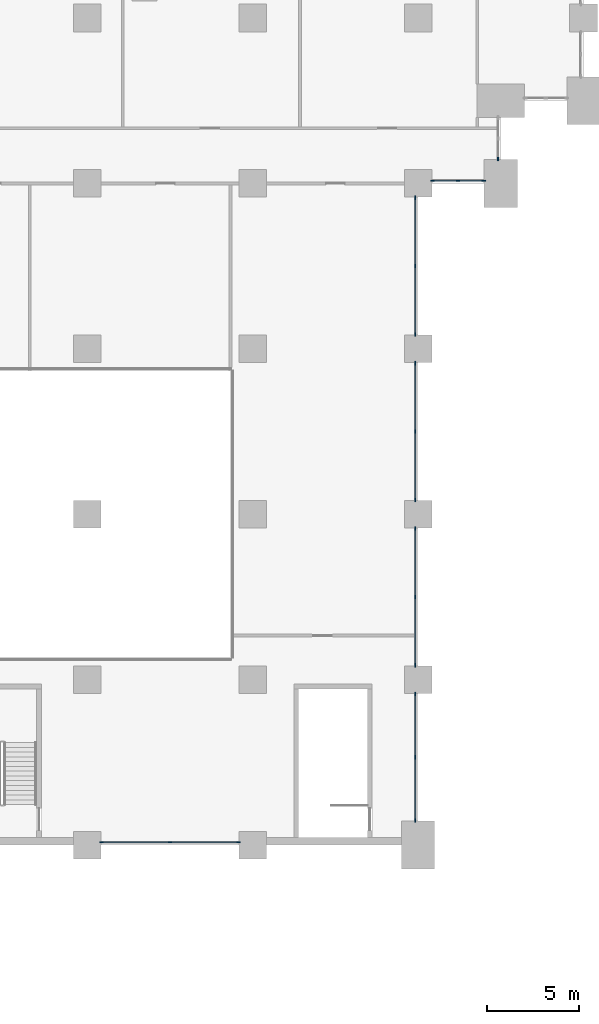
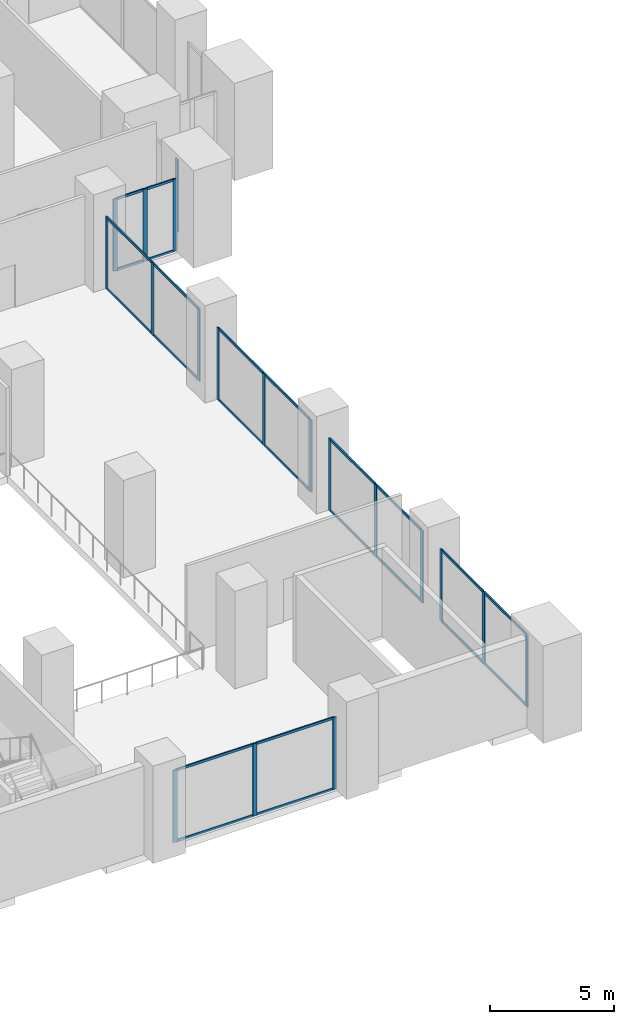
# One storey, part 4 of 32: 43 members, 7 elements without a shape of their own.
"""IFC4 building model written with IfcOpenShell, lengths in metres."""

from ifc_helpers import new_model, si_unit, direction, frame, origin, origin_2d, place, context, subcontext, project, spatial, rectangle, extrude, material, material_profile, profile_set, type_object, element, aggregate, save


model = new_model("IFC4")

# Units and contexts
model_context = context("Model", 3, precision=1e-05, world=origin(), true_north=direction((0.0, 1.0)))
body_context = subcontext(model_context, "Body", "Model", "MODEL_VIEW")
ifc_project = project(units=[si_unit("LENGTHUNIT", "METRE"), si_unit("AREAUNIT", "SQUARE_METRE"), si_unit("VOLUMEUNIT", "CUBIC_METRE"), si_unit("PLANEANGLEUNIT", "RADIAN"), si_unit("MASSUNIT", "GRAM", prefix="KILO")], contexts=[model_context])

# Site, building, storey
site_placement = place(None, origin())
site = spatial("IfcSite", under=ifc_project, at=site_placement, CompositionType="ELEMENT")
building_placement = place(site_placement, origin())
building = spatial("IfcBuilding", under=site, at=building_placement, Name="Hunhe Ridgeline Campus", CompositionType="ELEMENT")
storey_placement = place(building_placement, frame((0.0, 0.0, 26.39990234375)))
storey = spatial("IfcBuildingStorey", under=building, at=storey_placement, Name="L05", CompositionType="ELEMENT", Elevation=26.39990234375)

# Curtain wall, members
ifc_material_1 = material(Name="Aluminium and glass", Category="aluminium")
curtain_wall_type = type_object("IfcCurtainWallType", Name="Podium curtain wall CW-2", PredefinedType="NOTDEFINED", material=ifc_material_1)
curtain_wall_1_placement = place(storey_placement, origin())
curtain_wall_1 = element("IfcCurtainWall", 1, at=curtain_wall_1_placement, inside=storey, type_object=curtain_wall_type, Name="L05 podium curtain wall 1", PredefinedType="NOTDEFINED")
ifc_material_2 = material(Name="Aluminium", Category="aluminium")
ifc_material_profile_1 = material_profile(ifc_material_2, rectangle(XDim=0.06005859375, YDim=0.199951171875, at=origin_2d()))
ifc_profile_set_1 = profile_set([ifc_material_profile_1], Name="Aluminium")
member_type_1 = type_object("IfcMemberType", Name="CW-2 mullion 60x200", PredefinedType="MULLION", material=ifc_profile_set_1)
member_1_placement = place(storey_placement, frame((90.780029296875, 54.14990234375, 0.0), z_axis=(0.0, 0.0, 1.0), x_axis=(0.0, 1.0, 0.0)))
member_1 = element("IfcMember", 2, at=member_1_placement, type_object=member_type_1, Name="CW2 mullion 1", PredefinedType="MULLION", context=body_context, shape_type="SweptSolid", body=[
    extrude(rectangle(XDim=0.06005859375, YDim=0.199951171875, at=origin_2d()), origin(), (0.0, 0.0, 1.0), 3.550048828125),
])
member_2_placement = place(storey_placement, frame((92.175048828125, 54.14990234375, 0.0), z_axis=(0.0, 0.0, 1.0), x_axis=(0.0, 1.0, 0.0)))
member_2 = element("IfcMember", 3, at=member_2_placement, type_object=member_type_1, Name="CW2 mullion 2", PredefinedType="MULLION", context=body_context, shape_type="SweptSolid", body=[
    extrude(rectangle(XDim=0.06005859375, YDim=0.199951171875, at=origin_2d()), origin(), (0.0, 0.0, 1.0), 3.550048828125),
])
member_3_placement = place(storey_placement, frame((93.570068359375, 54.14990234375, 0.0), z_axis=(0.0, 0.0, 1.0), x_axis=(0.0, 1.0, 0.0)))
member_3 = element("IfcMember", 4, at=member_3_placement, type_object=member_type_1, Name="CW2 mullion 3", PredefinedType="MULLION", context=body_context, shape_type="SweptSolid", body=[
    extrude(rectangle(XDim=0.06005859375, YDim=0.199951171875, at=origin_2d()), origin(), (0.0, 0.0, 1.0), 3.550048828125),
])

# Curtain wall, member
curtain_wall_2_placement = place(storey_placement, origin())
curtain_wall_2 = element("IfcCurtainWall", 5, at=curtain_wall_2_placement, inside=storey, type_object=curtain_wall_type, Name="L05 podium curtain wall 2", PredefinedType="NOTDEFINED")
member_4_placement = place(storey_placement, frame((94.35009765625, 55.330078125, 0.0), z_axis=(0.0, 0.0, 1.0), x_axis=(-1.0, 0.0, 0.0)))
member_4 = element("IfcMember", 6, at=member_4_placement, type_object=member_type_1, Name="CW2 mullion 1", PredefinedType="MULLION", context=body_context, shape_type="SweptSolid", body=[
    extrude(rectangle(XDim=0.06005859375, YDim=0.199951171875, at=origin_2d()), origin(), (0.0, 0.0, 1.0), 3.550048828125),
])
aggregate(curtain_wall_2, [member_4])

# Curtain wall, members
curtain_wall_3_placement = place(storey_placement, origin())
curtain_wall_3 = element("IfcCurtainWall", 7, at=curtain_wall_3_placement, inside=storey, type_object=curtain_wall_type, Name="L05 podium curtain wall 19", PredefinedType="NOTDEFINED")
member_5_placement = place(storey_placement, frame((72.780029296875, 18.14990234375, 0.0), z_axis=(0.0, 0.0, 1.0), x_axis=(0.0, 1.0, 0.0)))
member_5 = element("IfcMember", 8, at=member_5_placement, type_object=member_type_1, Name="CW2 mullion 1", PredefinedType="MULLION", context=body_context, shape_type="SweptSolid", body=[
    extrude(rectangle(XDim=0.06005859375, YDim=0.199951171875, at=origin_2d()), origin(), (0.0, 0.0, 1.0), 3.550048828125),
])
member_6_placement = place(storey_placement, frame((76.5, 18.14990234375, 0.0), z_axis=(0.0, 0.0, 1.0), x_axis=(0.0, 1.0, 0.0)))
member_6 = element("IfcMember", 9, at=member_6_placement, type_object=member_type_1, Name="CW2 mullion 2", PredefinedType="MULLION", context=body_context, shape_type="SweptSolid", body=[
    extrude(rectangle(XDim=0.06005859375, YDim=0.199951171875, at=origin_2d()), origin(), (0.0, 0.0, 1.0), 3.550048828125),
])
member_7_placement = place(storey_placement, frame((80.219970703125, 18.14990234375, 0.0), z_axis=(0.0, 0.0, 1.0), x_axis=(0.0, 1.0, 0.0)))
member_7 = element("IfcMember", 10, at=member_7_placement, type_object=member_type_1, Name="CW2 mullion 3", PredefinedType="MULLION", context=body_context, shape_type="SweptSolid", body=[
    extrude(rectangle(XDim=0.06005859375, YDim=0.199951171875, at=origin_2d()), origin(), (0.0, 0.0, 1.0), 3.550048828125),
])

curtain_wall_4_placement = place(storey_placement, origin())
curtain_wall_4 = element("IfcCurtainWall", 11, at=curtain_wall_4_placement, inside=storey, type_object=curtain_wall_type, Name="L05 podium curtain wall 21", PredefinedType="NOTDEFINED")
member_8_placement = place(storey_placement, frame((89.85009765625, 19.330078125, 0.0), z_axis=(0.0, 0.0, 1.0), x_axis=(-1.0, 0.0, 0.0)))
member_8 = element("IfcMember", 12, at=member_8_placement, type_object=member_type_1, Name="CW2 mullion 1", PredefinedType="MULLION", context=body_context, shape_type="SweptSolid", body=[
    extrude(rectangle(XDim=0.06005859375, YDim=0.199951171875, at=origin_2d()), origin(), (0.0, 0.0, 1.0), 3.550048828125),
])
member_9_placement = place(storey_placement, frame((89.85009765625, 22.77490234375, 0.0), z_axis=(0.0, 0.0, 1.0), x_axis=(-1.0, 0.0, 0.0)))
member_9 = element("IfcMember", 13, at=member_9_placement, type_object=member_type_1, Name="CW2 mullion 2", PredefinedType="MULLION", context=body_context, shape_type="SweptSolid", body=[
    extrude(rectangle(XDim=0.06005859375, YDim=0.199951171875, at=origin_2d()), origin(), (0.0, 0.0, 1.0), 3.550048828125),
])
member_10_placement = place(storey_placement, frame((89.85009765625, 26.219970703125, 0.0), z_axis=(0.0, 0.0, 1.0), x_axis=(-1.0, 0.0, 0.0)))
member_10 = element("IfcMember", 14, at=member_10_placement, type_object=member_type_1, Name="CW2 mullion 3", PredefinedType="MULLION", context=body_context, shape_type="SweptSolid", body=[
    extrude(rectangle(XDim=0.06005859375, YDim=0.199951171875, at=origin_2d()), origin(), (0.0, 0.0, 1.0), 3.550048828125),
])

curtain_wall_5_placement = place(storey_placement, origin())
curtain_wall_5 = element("IfcCurtainWall", 15, at=curtain_wall_5_placement, inside=storey, type_object=curtain_wall_type, Name="L05 podium curtain wall 22", PredefinedType="NOTDEFINED")
member_11_placement = place(storey_placement, frame((89.85009765625, 27.780029296875, 0.0), z_axis=(0.0, 0.0, 1.0), x_axis=(-1.0, 0.0, 0.0)))
member_11 = element("IfcMember", 16, at=member_11_placement, type_object=member_type_1, Name="CW2 mullion 1", PredefinedType="MULLION", context=body_context, shape_type="SweptSolid", body=[
    extrude(rectangle(XDim=0.06005859375, YDim=0.199951171875, at=origin_2d()), origin(), (0.0, 0.0, 1.0), 3.550048828125),
])
member_12_placement = place(storey_placement, frame((89.85009765625, 31.5, 0.0), z_axis=(0.0, 0.0, 1.0), x_axis=(-1.0, 0.0, 0.0)))
member_12 = element("IfcMember", 17, at=member_12_placement, type_object=member_type_1, Name="CW2 mullion 2", PredefinedType="MULLION", context=body_context, shape_type="SweptSolid", body=[
    extrude(rectangle(XDim=0.06005859375, YDim=0.199951171875, at=origin_2d()), origin(), (0.0, 0.0, 1.0), 3.550048828125),
])
member_13_placement = place(storey_placement, frame((89.85009765625, 35.219970703125, 0.0), z_axis=(0.0, 0.0, 1.0), x_axis=(-1.0, 0.0, 0.0)))
member_13 = element("IfcMember", 18, at=member_13_placement, type_object=member_type_1, Name="CW2 mullion 3", PredefinedType="MULLION", context=body_context, shape_type="SweptSolid", body=[
    extrude(rectangle(XDim=0.06005859375, YDim=0.199951171875, at=origin_2d()), origin(), (0.0, 0.0, 1.0), 3.550048828125),
])

curtain_wall_6_placement = place(storey_placement, origin())
curtain_wall_6 = element("IfcCurtainWall", 19, at=curtain_wall_6_placement, inside=storey, type_object=curtain_wall_type, Name="L05 podium curtain wall 23", PredefinedType="NOTDEFINED")
member_14_placement = place(storey_placement, frame((89.85009765625, 36.780029296875, 0.0), z_axis=(0.0, 0.0, 1.0), x_axis=(-1.0, 0.0, 0.0)))
member_14 = element("IfcMember", 20, at=member_14_placement, type_object=member_type_1, Name="CW2 mullion 1", PredefinedType="MULLION", context=body_context, shape_type="SweptSolid", body=[
    extrude(rectangle(XDim=0.06005859375, YDim=0.199951171875, at=origin_2d()), origin(), (0.0, 0.0, 1.0), 3.550048828125),
])
member_15_placement = place(storey_placement, frame((89.85009765625, 40.5, 0.0), z_axis=(0.0, 0.0, 1.0), x_axis=(-1.0, 0.0, 0.0)))
member_15 = element("IfcMember", 21, at=member_15_placement, type_object=member_type_1, Name="CW2 mullion 2", PredefinedType="MULLION", context=body_context, shape_type="SweptSolid", body=[
    extrude(rectangle(XDim=0.06005859375, YDim=0.199951171875, at=origin_2d()), origin(), (0.0, 0.0, 1.0), 3.550048828125),
])
member_16_placement = place(storey_placement, frame((89.85009765625, 44.219970703125, 0.0), z_axis=(0.0, 0.0, 1.0), x_axis=(-1.0, 0.0, 0.0)))
member_16 = element("IfcMember", 22, at=member_16_placement, type_object=member_type_1, Name="CW2 mullion 3", PredefinedType="MULLION", context=body_context, shape_type="SweptSolid", body=[
    extrude(rectangle(XDim=0.06005859375, YDim=0.199951171875, at=origin_2d()), origin(), (0.0, 0.0, 1.0), 3.550048828125),
])

curtain_wall_7_placement = place(storey_placement, origin())
curtain_wall_7 = element("IfcCurtainWall", 23, at=curtain_wall_7_placement, inside=storey, type_object=curtain_wall_type, Name="L05 podium curtain wall 24", PredefinedType="NOTDEFINED")
member_17_placement = place(storey_placement, frame((89.85009765625, 45.780029296875, 0.0), z_axis=(0.0, 0.0, 1.0), x_axis=(-1.0, 0.0, 0.0)))
member_17 = element("IfcMember", 24, at=member_17_placement, type_object=member_type_1, Name="CW2 mullion 1", PredefinedType="MULLION", context=body_context, shape_type="SweptSolid", body=[
    extrude(rectangle(XDim=0.06005859375, YDim=0.199951171875, at=origin_2d()), origin(), (0.0, 0.0, 1.0), 3.550048828125),
])
member_18_placement = place(storey_placement, frame((89.85009765625, 49.5, 0.0), z_axis=(0.0, 0.0, 1.0), x_axis=(-1.0, 0.0, 0.0)))
member_18 = element("IfcMember", 25, at=member_18_placement, type_object=member_type_1, Name="CW2 mullion 2", PredefinedType="MULLION", context=body_context, shape_type="SweptSolid", body=[
    extrude(rectangle(XDim=0.06005859375, YDim=0.199951171875, at=origin_2d()), origin(), (0.0, 0.0, 1.0), 3.550048828125),
])
member_19_placement = place(storey_placement, frame((89.85009765625, 53.219970703125, 0.0), z_axis=(0.0, 0.0, 1.0), x_axis=(-1.0, 0.0, 0.0)))
member_19 = element("IfcMember", 26, at=member_19_placement, type_object=member_type_1, Name="CW2 mullion 3", PredefinedType="MULLION", context=body_context, shape_type="SweptSolid", body=[
    extrude(rectangle(XDim=0.06005859375, YDim=0.199951171875, at=origin_2d()), origin(), (0.0, 0.0, 1.0), 3.550048828125),
])

# Member
ifc_material_profile_2 = material_profile(ifc_material_2, rectangle(XDim=0.06005859375, YDim=0.1201171875, at=origin_2d()))
ifc_profile_set_2 = profile_set([ifc_material_profile_2], Name="Aluminium")
member_type_2 = type_object("IfcMemberType", Name="CW-2 transom 60x120", PredefinedType="USERDEFINED", material=ifc_profile_set_2)
member_20_placement = place(storey_placement, frame((90.81005859375, 54.14990234375, 0.030029296875), z_axis=(1.0, 0.0, 0.0), x_axis=(0.0, 1.0, 0.0)))
member_20 = element("IfcMember", 27, at=member_20_placement, type_object=member_type_2, Name="CW2 transom 1.1", ObjectType="TRANSOM", PredefinedType="USERDEFINED", context=body_context, shape_type="SweptSolid", body=[
    extrude(rectangle(XDim=0.06005859375, YDim=0.1201171875, at=origin_2d()), origin(), (0.0, 0.0, 1.0), 1.3349609375),
])

member_21_placement = place(storey_placement, frame((90.81005859375, 54.14990234375, 3.52001953125), z_axis=(1.0, 0.0, 0.0), x_axis=(0.0, 1.0, 0.0)))
member_21 = element("IfcMember", 28, at=member_21_placement, type_object=member_type_2, Name="CW2 transom 1.2", ObjectType="TRANSOM", PredefinedType="USERDEFINED", context=body_context, shape_type="SweptSolid", body=[
    extrude(rectangle(XDim=0.06005859375, YDim=0.1201171875, at=origin_2d()), origin(), (0.0, 0.0, 1.0), 1.3349609375),
])

member_22_placement = place(storey_placement, frame((92.205078125, 54.14990234375, 0.030029296875), z_axis=(1.0, 0.0, 0.0), x_axis=(0.0, 1.0, 0.0)))
member_22 = element("IfcMember", 29, at=member_22_placement, type_object=member_type_2, Name="CW2 transom 2.1", ObjectType="TRANSOM", PredefinedType="USERDEFINED", context=body_context, shape_type="SweptSolid", body=[
    extrude(rectangle(XDim=0.06005859375, YDim=0.1201171875, at=origin_2d()), origin(), (0.0, 0.0, 1.0), 1.3349609375),
])

member_23_placement = place(storey_placement, frame((92.205078125, 54.14990234375, 3.52001953125), z_axis=(1.0, 0.0, 0.0), x_axis=(0.0, 1.0, 0.0)))
member_23 = element("IfcMember", 30, at=member_23_placement, type_object=member_type_2, Name="CW2 transom 2.2", ObjectType="TRANSOM", PredefinedType="USERDEFINED", context=body_context, shape_type="SweptSolid", body=[
    extrude(rectangle(XDim=0.06005859375, YDim=0.1201171875, at=origin_2d()), origin(), (0.0, 0.0, 1.0), 1.3349609375),
])

aggregate(curtain_wall_1, [member_1, member_2, member_3, member_20, member_21, member_22, member_23])

member_24_placement = place(storey_placement, frame((72.81005859375, 18.14990234375, 0.030029296875), z_axis=(1.0, 0.0, 0.0), x_axis=(0.0, 1.0, 0.0)))
member_24 = element("IfcMember", 31, at=member_24_placement, type_object=member_type_2, Name="CW2 transom 1.1", ObjectType="TRANSOM", PredefinedType="USERDEFINED", context=body_context, shape_type="SweptSolid", body=[
    extrude(rectangle(XDim=0.06005859375, YDim=0.1201171875, at=origin_2d()), origin(), (0.0, 0.0, 1.0), 3.659912109375),
])

member_25_placement = place(storey_placement, frame((72.81005859375, 18.14990234375, 3.52001953125), z_axis=(1.0, 0.0, 0.0), x_axis=(0.0, 1.0, 0.0)))
member_25 = element("IfcMember", 32, at=member_25_placement, type_object=member_type_2, Name="CW2 transom 1.2", ObjectType="TRANSOM", PredefinedType="USERDEFINED", context=body_context, shape_type="SweptSolid", body=[
    extrude(rectangle(XDim=0.06005859375, YDim=0.1201171875, at=origin_2d()), origin(), (0.0, 0.0, 1.0), 3.659912109375),
])

member_26_placement = place(storey_placement, frame((76.530029296875, 18.14990234375, 0.030029296875), z_axis=(1.0, 0.0, 0.0), x_axis=(0.0, 1.0, 0.0)))
member_26 = element("IfcMember", 33, at=member_26_placement, type_object=member_type_2, Name="CW2 transom 2.1", ObjectType="TRANSOM", PredefinedType="USERDEFINED", context=body_context, shape_type="SweptSolid", body=[
    extrude(rectangle(XDim=0.06005859375, YDim=0.1201171875, at=origin_2d()), origin(), (0.0, 0.0, 1.0), 3.659912109375),
])

member_27_placement = place(storey_placement, frame((76.530029296875, 18.14990234375, 3.52001953125), z_axis=(1.0, 0.0, 0.0), x_axis=(0.0, 1.0, 0.0)))
member_27 = element("IfcMember", 34, at=member_27_placement, type_object=member_type_2, Name="CW2 transom 2.2", ObjectType="TRANSOM", PredefinedType="USERDEFINED", context=body_context, shape_type="SweptSolid", body=[
    extrude(rectangle(XDim=0.06005859375, YDim=0.1201171875, at=origin_2d()), origin(), (0.0, 0.0, 1.0), 3.659912109375),
])

aggregate(curtain_wall_3, [member_5, member_6, member_7, member_24, member_25, member_26, member_27])

member_28_placement = place(storey_placement, frame((89.85009765625, 19.360107421875, 0.030029296875), z_axis=(0.0, 1.0, 0.0), x_axis=(-1.0, 0.0, 0.0)))
member_28 = element("IfcMember", 35, at=member_28_placement, type_object=member_type_2, Name="CW2 transom 1.1", ObjectType="TRANSOM", PredefinedType="USERDEFINED", context=body_context, shape_type="SweptSolid", body=[
    extrude(rectangle(XDim=0.06005859375, YDim=0.1201171875, at=origin_2d()), origin(), (0.0, 0.0, 1.0), 3.385009765625),
])

member_29_placement = place(storey_placement, frame((89.85009765625, 19.360107421875, 3.52001953125), z_axis=(0.0, 1.0, 0.0), x_axis=(-1.0, 0.0, 0.0)))
member_29 = element("IfcMember", 36, at=member_29_placement, type_object=member_type_2, Name="CW2 transom 1.2", ObjectType="TRANSOM", PredefinedType="USERDEFINED", context=body_context, shape_type="SweptSolid", body=[
    extrude(rectangle(XDim=0.06005859375, YDim=0.1201171875, at=origin_2d()), origin(), (0.0, 0.0, 1.0), 3.385009765625),
])

member_30_placement = place(storey_placement, frame((89.85009765625, 22.804931640625, 0.030029296875), z_axis=(0.0, 1.0, 0.0), x_axis=(-1.0, 0.0, 0.0)))
member_30 = element("IfcMember", 37, at=member_30_placement, type_object=member_type_2, Name="CW2 transom 2.1", ObjectType="TRANSOM", PredefinedType="USERDEFINED", context=body_context, shape_type="SweptSolid", body=[
    extrude(rectangle(XDim=0.06005859375, YDim=0.1201171875, at=origin_2d()), origin(), (0.0, 0.0, 1.0), 3.385009765625),
])

member_31_placement = place(storey_placement, frame((89.85009765625, 22.804931640625, 3.52001953125), z_axis=(0.0, 1.0, 0.0), x_axis=(-1.0, 0.0, 0.0)))
member_31 = element("IfcMember", 38, at=member_31_placement, type_object=member_type_2, Name="CW2 transom 2.2", ObjectType="TRANSOM", PredefinedType="USERDEFINED", context=body_context, shape_type="SweptSolid", body=[
    extrude(rectangle(XDim=0.06005859375, YDim=0.1201171875, at=origin_2d()), origin(), (0.0, 0.0, 1.0), 3.385009765625),
])

aggregate(curtain_wall_4, [member_8, member_9, member_10, member_28, member_29, member_30, member_31])

member_32_placement = place(storey_placement, frame((89.85009765625, 27.81005859375, 0.030029296875), z_axis=(0.0, 1.0, 0.0), x_axis=(-1.0, 0.0, 0.0)))
member_32 = element("IfcMember", 39, at=member_32_placement, type_object=member_type_2, Name="CW2 transom 1.1", ObjectType="TRANSOM", PredefinedType="USERDEFINED", context=body_context, shape_type="SweptSolid", body=[
    extrude(rectangle(XDim=0.06005859375, YDim=0.1201171875, at=origin_2d()), origin(), (0.0, 0.0, 1.0), 3.659912109375),
])

member_33_placement = place(storey_placement, frame((89.85009765625, 27.81005859375, 3.52001953125), z_axis=(0.0, 1.0, 0.0), x_axis=(-1.0, 0.0, 0.0)))
member_33 = element("IfcMember", 40, at=member_33_placement, type_object=member_type_2, Name="CW2 transom 1.2", ObjectType="TRANSOM", PredefinedType="USERDEFINED", context=body_context, shape_type="SweptSolid", body=[
    extrude(rectangle(XDim=0.06005859375, YDim=0.1201171875, at=origin_2d()), origin(), (0.0, 0.0, 1.0), 3.659912109375),
])

member_34_placement = place(storey_placement, frame((89.85009765625, 31.530029296875, 0.030029296875), z_axis=(0.0, 1.0, 0.0), x_axis=(-1.0, 0.0, 0.0)))
member_34 = element("IfcMember", 41, at=member_34_placement, type_object=member_type_2, Name="CW2 transom 2.1", ObjectType="TRANSOM", PredefinedType="USERDEFINED", context=body_context, shape_type="SweptSolid", body=[
    extrude(rectangle(XDim=0.06005859375, YDim=0.1201171875, at=origin_2d()), origin(), (0.0, 0.0, 1.0), 3.659912109375),
])

member_35_placement = place(storey_placement, frame((89.85009765625, 31.530029296875, 3.52001953125), z_axis=(0.0, 1.0, 0.0), x_axis=(-1.0, 0.0, 0.0)))
member_35 = element("IfcMember", 42, at=member_35_placement, type_object=member_type_2, Name="CW2 transom 2.2", ObjectType="TRANSOM", PredefinedType="USERDEFINED", context=body_context, shape_type="SweptSolid", body=[
    extrude(rectangle(XDim=0.06005859375, YDim=0.1201171875, at=origin_2d()), origin(), (0.0, 0.0, 1.0), 3.659912109375),
])

aggregate(curtain_wall_5, [member_11, member_12, member_13, member_32, member_33, member_34, member_35])

member_36_placement = place(storey_placement, frame((89.85009765625, 36.81005859375, 0.030029296875), z_axis=(0.0, 1.0, 0.0), x_axis=(-1.0, 0.0, 0.0)))
member_36 = element("IfcMember", 43, at=member_36_placement, type_object=member_type_2, Name="CW2 transom 1.1", ObjectType="TRANSOM", PredefinedType="USERDEFINED", context=body_context, shape_type="SweptSolid", body=[
    extrude(rectangle(XDim=0.06005859375, YDim=0.1201171875, at=origin_2d()), origin(), (0.0, 0.0, 1.0), 3.659912109375),
])

member_37_placement = place(storey_placement, frame((89.85009765625, 36.81005859375, 3.52001953125), z_axis=(0.0, 1.0, 0.0), x_axis=(-1.0, 0.0, 0.0)))
member_37 = element("IfcMember", 44, at=member_37_placement, type_object=member_type_2, Name="CW2 transom 1.2", ObjectType="TRANSOM", PredefinedType="USERDEFINED", context=body_context, shape_type="SweptSolid", body=[
    extrude(rectangle(XDim=0.06005859375, YDim=0.1201171875, at=origin_2d()), origin(), (0.0, 0.0, 1.0), 3.659912109375),
])

member_38_placement = place(storey_placement, frame((89.85009765625, 40.530029296875, 0.030029296875), z_axis=(0.0, 1.0, 0.0), x_axis=(-1.0, 0.0, 0.0)))
member_38 = element("IfcMember", 45, at=member_38_placement, type_object=member_type_2, Name="CW2 transom 2.1", ObjectType="TRANSOM", PredefinedType="USERDEFINED", context=body_context, shape_type="SweptSolid", body=[
    extrude(rectangle(XDim=0.06005859375, YDim=0.1201171875, at=origin_2d()), origin(), (0.0, 0.0, 1.0), 3.659912109375),
])

member_39_placement = place(storey_placement, frame((89.85009765625, 40.530029296875, 3.52001953125), z_axis=(0.0, 1.0, 0.0), x_axis=(-1.0, 0.0, 0.0)))
member_39 = element("IfcMember", 46, at=member_39_placement, type_object=member_type_2, Name="CW2 transom 2.2", ObjectType="TRANSOM", PredefinedType="USERDEFINED", context=body_context, shape_type="SweptSolid", body=[
    extrude(rectangle(XDim=0.06005859375, YDim=0.1201171875, at=origin_2d()), origin(), (0.0, 0.0, 1.0), 3.659912109375),
])

aggregate(curtain_wall_6, [member_14, member_15, member_16, member_36, member_37, member_38, member_39])

member_40_placement = place(storey_placement, frame((89.85009765625, 45.81005859375, 0.030029296875), z_axis=(0.0, 1.0, 0.0), x_axis=(-1.0, 0.0, 0.0)))
member_40 = element("IfcMember", 47, at=member_40_placement, type_object=member_type_2, Name="CW2 transom 1.1", ObjectType="TRANSOM", PredefinedType="USERDEFINED", context=body_context, shape_type="SweptSolid", body=[
    extrude(rectangle(XDim=0.06005859375, YDim=0.1201171875, at=origin_2d()), origin(), (0.0, 0.0, 1.0), 3.659912109375),
])

member_41_placement = place(storey_placement, frame((89.85009765625, 45.81005859375, 3.52001953125), z_axis=(0.0, 1.0, 0.0), x_axis=(-1.0, 0.0, 0.0)))
member_41 = element("IfcMember", 48, at=member_41_placement, type_object=member_type_2, Name="CW2 transom 1.2", ObjectType="TRANSOM", PredefinedType="USERDEFINED", context=body_context, shape_type="SweptSolid", body=[
    extrude(rectangle(XDim=0.06005859375, YDim=0.1201171875, at=origin_2d()), origin(), (0.0, 0.0, 1.0), 3.659912109375),
])

member_42_placement = place(storey_placement, frame((89.85009765625, 49.530029296875, 0.030029296875), z_axis=(0.0, 1.0, 0.0), x_axis=(-1.0, 0.0, 0.0)))
member_42 = element("IfcMember", 49, at=member_42_placement, type_object=member_type_2, Name="CW2 transom 2.1", ObjectType="TRANSOM", PredefinedType="USERDEFINED", context=body_context, shape_type="SweptSolid", body=[
    extrude(rectangle(XDim=0.06005859375, YDim=0.1201171875, at=origin_2d()), origin(), (0.0, 0.0, 1.0), 3.659912109375),
])

member_43_placement = place(storey_placement, frame((89.85009765625, 49.530029296875, 3.52001953125), z_axis=(0.0, 1.0, 0.0), x_axis=(-1.0, 0.0, 0.0)))
member_43 = element("IfcMember", 50, at=member_43_placement, type_object=member_type_2, Name="CW2 transom 2.2", ObjectType="TRANSOM", PredefinedType="USERDEFINED", context=body_context, shape_type="SweptSolid", body=[
    extrude(rectangle(XDim=0.06005859375, YDim=0.1201171875, at=origin_2d()), origin(), (0.0, 0.0, 1.0), 3.659912109375),
])

aggregate(curtain_wall_7, [member_17, member_18, member_19, member_40, member_41, member_42, member_43])

save(model, "model.ifc")
